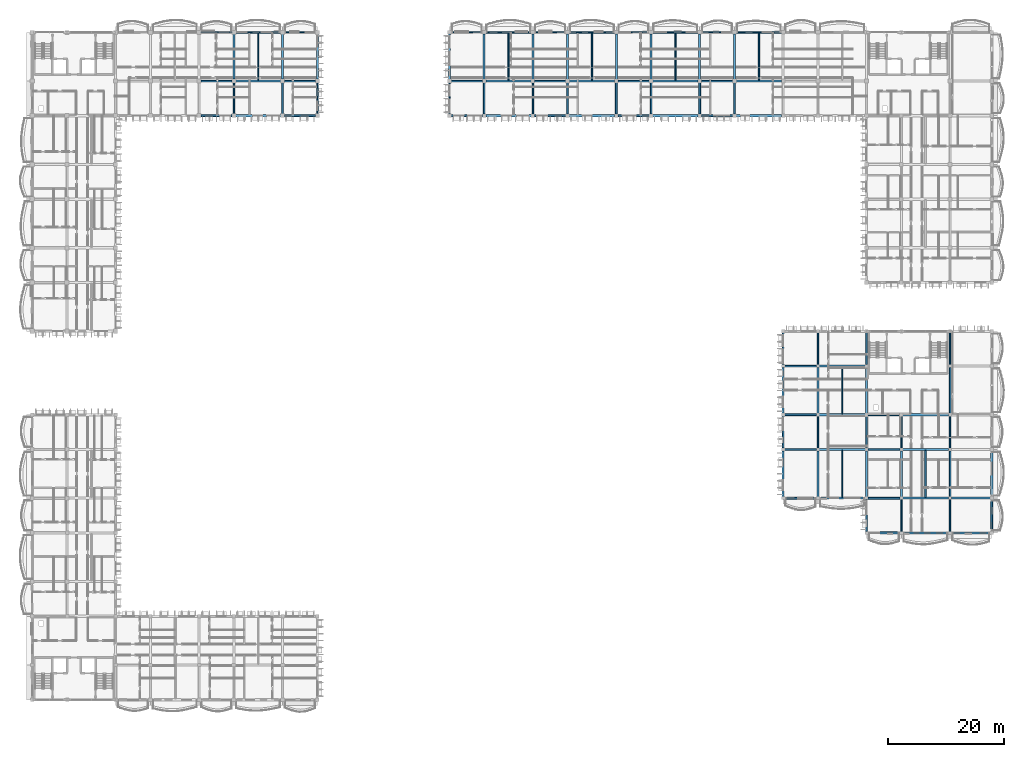
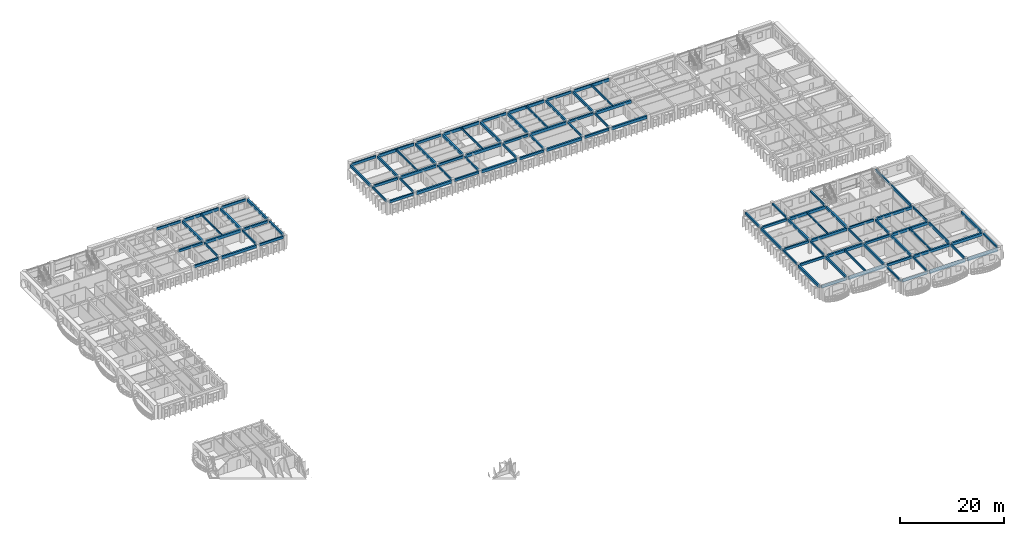
# One storey, part 6 of 70: 104 beams.
"""IFC4 building model written with IfcOpenShell, lengths in metres."""

from ifc_helpers import new_model, si_unit, direction, frame, origin, origin_2d, place, context, subcontext, project, spatial, rectangle, extrude, material, material_profile, profile_set, type_object, element, save


model = new_model("IFC4")

# Units and contexts
model_context = context("Model", 3, precision=1e-05, world=origin(), true_north=direction((0.0, 1.0)))
body_context = subcontext(model_context, "Body", "Model", "MODEL_VIEW")
ifc_project = project(units=[si_unit("LENGTHUNIT", "METRE"), si_unit("AREAUNIT", "SQUARE_METRE"), si_unit("VOLUMEUNIT", "CUBIC_METRE"), si_unit("PLANEANGLEUNIT", "RADIAN"), si_unit("MASSUNIT", "GRAM", prefix="KILO"), si_unit("THERMODYNAMICTEMPERATUREUNIT", "KELVIN")], contexts=[model_context])

# Site, building, storey
site_placement = place(None, origin())
site = spatial("IfcSite", under=ifc_project, at=site_placement, CompositionType="ELEMENT")
building_placement = place(site_placement, origin())
building = spatial("IfcBuilding", under=site, at=building_placement, Name="Thalorik Housing Commons", CompositionType="ELEMENT")
storey_placement = place(building_placement, frame((0.0, 0.0, 14.699951171875)))
storey = spatial("IfcBuildingStorey", under=building, at=storey_placement, Name="L04", CompositionType="ELEMENT", Elevation=14.699951171875)

# Beams
ifc_material = material(Name="Precast concrete C40/50", Category="concrete")
ifc_material_profile_1 = material_profile(ifc_material, rectangle(XDim=0.280029296875, YDim=0.449951171875, at=origin_2d()), Name="PC 280x450", Category="concrete")
ifc_profile_set_1 = profile_set([ifc_material_profile_1], Name="Precast concrete C40/50")
beam_type_1 = type_object("IfcBeamType", Name="STR-BM-PC280x450", PredefinedType="BEAM", material=ifc_profile_set_1)
for number, where, z_axis, x_axis, name in (
    (1, (43.199951171875, 109.5, 2.81494140625), (0.0, 1.0, 0.0), (-1.0, 0.0, 0.0), "L04 Beam B-450"),
    (2, (51.60009765625, 109.5, 2.81494140625), (0.0, 1.0, 0.0), (-1.0, 0.0, 0.0), "L04 Beam B-450"),
    (3, (57.60009765625, 109.5, 2.81494140625), (0.0, 1.0, 0.0), (-1.0, 0.0, 0.0), "L04 Beam B-450"),
):
    element("IfcBeam", number, at=place(storey_placement, frame(where, z_axis=z_axis, x_axis=x_axis)), inside=storey, type_object=beam_type_1, Name=name, PredefinedType="BEAM", context=body_context, shape_type="SweptSolid", body=[
        extrude(rectangle(XDim=0.280029296875, YDim=0.449951171875, at=origin_2d()), origin(), (0.0, 0.0, 1.0), 5.39990234375),
    ])
for number, where, z_axis, x_axis, name in (
    (4, (80.39990234375, 109.47509765625, 2.81494140625), (0.0, 1.0, 0.0), (-1.0, 0.0, 0.0), "L04 Beam B-450"),
    (5, (86.39990234375, 109.47509765625, 2.81494140625), (0.0, 1.0, 0.0), (-1.0, 0.0, 0.0), "L04 Beam B-450"),
    (6, (94.800048828125, 109.47509765625, 2.81494140625), (0.0, 1.0, 0.0), (-1.0, 0.0, 0.0), "L04 Beam B-450"),
    (7, (100.800048828125, 109.47509765625, 2.81494140625), (0.0, 1.0, 0.0), (-1.0, 0.0, 0.0), "L04 Beam B-450"),
    (8, (109.199951171875, 109.47509765625, 2.81494140625), (0.0, 1.0, 0.0), (-1.0, 0.0, 0.0), "L04 Beam B-450"),
    (9, (115.199951171875, 109.47509765625, 2.81494140625), (0.0, 1.0, 0.0), (-1.0, 0.0, 0.0), "L04 Beam B-450"),
    (10, (123.60009765625, 109.47509765625, 2.81494140625), (0.0, 1.0, 0.0), (-1.0, 0.0, 0.0), "L04 Beam B-450"),
    (11, (129.60009765625, 109.47509765625, 2.81494140625), (0.0, 1.0, 0.0), (-1.0, 0.0, 0.0), "L04 Beam B-450"),
):
    element("IfcBeam", number, at=place(storey_placement, frame(where, z_axis=z_axis, x_axis=x_axis)), inside=storey, type_object=beam_type_1, Name=name, PredefinedType="BEAM", context=body_context, shape_type="SweptSolid", body=[
        extrude(rectangle(XDim=0.280029296875, YDim=0.449951171875, at=origin_2d()), origin(), (0.0, 0.0, 1.0), 5.449951171875),
    ])
beam_1_placement = place(storey_placement, frame((138.0, 51.824951171875, 2.81494140625), z_axis=(0.0, 1.0, 0.0), x_axis=(-1.0, 0.0, 0.0)))
element("IfcBeam", 12, at=beam_1_placement, inside=storey, type_object=beam_type_1, Name="L04 Beam B-450", PredefinedType="BEAM", context=body_context, shape_type="SweptSolid", body=[
    extrude(rectangle(XDim=0.280029296875, YDim=0.449951171875, at=origin_2d()), origin(), (0.0, 0.0, 1.0), 5.550048828125),
])
beam_2_placement = place(storey_placement, frame((138.0, 66.22509765625, 2.81494140625), z_axis=(0.0, 1.0, 0.0), x_axis=(-1.0, 0.0, 0.0)))
element("IfcBeam", 13, at=beam_2_placement, inside=storey, type_object=beam_type_1, Name="L04 Beam B-450", PredefinedType="BEAM", context=body_context, shape_type="SweptSolid", body=[
    extrude(rectangle(XDim=0.280029296875, YDim=0.449951171875, at=origin_2d()), origin(), (0.0, 0.0, 1.0), 5.5498046875),
])
beam_3_placement = place(storey_placement, frame((144.0, 51.824951171875, 2.81494140625), z_axis=(0.0, 1.0, 0.0), x_axis=(-1.0, 0.0, 0.0)))
element("IfcBeam", 14, at=beam_3_placement, inside=storey, type_object=beam_type_1, Name="L04 Beam B-450", PredefinedType="BEAM", context=body_context, shape_type="SweptSolid", body=[
    extrude(rectangle(XDim=0.280029296875, YDim=0.449951171875, at=origin_2d()), origin(), (0.0, 0.0, 1.0), 5.550048828125),
])
beam_4_placement = place(storey_placement, frame((144.0, 66.22509765625, 2.81494140625), z_axis=(0.0, 1.0, 0.0), x_axis=(-1.0, 0.0, 0.0)))
element("IfcBeam", 15, at=beam_4_placement, inside=storey, type_object=beam_type_1, Name="L04 Beam B-450", PredefinedType="BEAM", context=body_context, shape_type="SweptSolid", body=[
    extrude(rectangle(XDim=0.280029296875, YDim=0.449951171875, at=origin_2d()), origin(), (0.0, 0.0, 1.0), 5.5498046875),
])
for number, where, z_axis, x_axis, name in (
    (16, (152.39990234375, 37.425048828125, 2.81494140625), (0.0, 1.0, 0.0), (-1.0, 0.0, 0.0), "L04 Beam B-450"),
    (17, (152.39990234375, 51.824951171875, 2.81494140625), (0.0, 1.0, 0.0), (-1.0, 0.0, 0.0), "L04 Beam B-450"),
):
    element("IfcBeam", number, at=place(storey_placement, frame(where, z_axis=z_axis, x_axis=x_axis)), inside=storey, type_object=beam_type_1, Name=name, PredefinedType="BEAM", context=body_context, shape_type="SweptSolid", body=[
        extrude(rectangle(XDim=0.280029296875, YDim=0.449951171875, at=origin_2d()), origin(), (0.0, 0.0, 1.0), 5.550048828125),
    ])
beam_5_placement = place(storey_placement, frame((152.39990234375, 66.22509765625, 2.81494140625), z_axis=(0.0, 1.0, 0.0), x_axis=(-1.0, 0.0, 0.0)))
element("IfcBeam", 18, at=beam_5_placement, inside=storey, type_object=beam_type_1, Name="L04 Beam B-450", PredefinedType="BEAM", context=body_context, shape_type="SweptSolid", body=[
    extrude(rectangle(XDim=0.280029296875, YDim=0.449951171875, at=origin_2d()), origin(), (0.0, 0.0, 1.0), 5.5498046875),
])
for number, where, z_axis, x_axis, name in (
    (19, (158.39990234375, 37.425048828125, 2.81494140625), (0.0, 1.0, 0.0), (-1.0, 0.0, 0.0), "L04 Beam B-450"),
    (20, (158.39990234375, 51.824951171875, 2.81494140625), (0.0, 1.0, 0.0), (-1.0, 0.0, 0.0), "L04 Beam B-450"),
    (21, (174.0, 37.425048828125, 2.81494140625), (0.0, 1.0, 0.0), (-1.0, 0.0, 0.0), "L04 Beam B-450"),
):
    element("IfcBeam", number, at=place(storey_placement, frame(where, z_axis=z_axis, x_axis=x_axis)), inside=storey, type_object=beam_type_1, Name=name, PredefinedType="BEAM", context=body_context, shape_type="SweptSolid", body=[
        extrude(rectangle(XDim=0.280029296875, YDim=0.449951171875, at=origin_2d()), origin(), (0.0, 0.0, 1.0), 5.550048828125),
    ])
ifc_material_profile_2 = material_profile(ifc_material, rectangle(XDim=0.320068359375, YDim=0.550048828125, at=origin_2d()), Name="PC 320x550", Category="concrete")
ifc_profile_set_2 = profile_set([ifc_material_profile_2], Name="Precast concrete C40/50")
beam_type_2 = type_object("IfcBeamType", Name="STR-BM-PC320x550", PredefinedType="BEAM", material=ifc_profile_set_2)
beam_6_placement = place(storey_placement, frame((152.625, 37.199951171875, 2.76513671875), z_axis=(1.0, 0.0, 0.0), x_axis=(0.0, 1.0, 0.0)))
element("IfcBeam", 22, at=beam_6_placement, inside=storey, type_object=beam_type_2, Name="L04 Beam B-550", PredefinedType="BEAM", context=body_context, shape_type="SweptSolid", body=[
    extrude(rectangle(XDim=0.320068359375, YDim=0.550048828125, at=origin_2d()), origin(), (0.0, 0.0, 1.0), 5.550048828125),
])
beam_7_placement = place(storey_placement, frame((138.22509765625, 43.199951171875, 2.76513671875), z_axis=(1.0, 0.0, 0.0), x_axis=(0.0, 1.0, 0.0)))
element("IfcBeam", 23, at=beam_7_placement, inside=storey, type_object=beam_type_2, Name="L04 Beam B-550", PredefinedType="BEAM", context=body_context, shape_type="SweptSolid", body=[
    extrude(rectangle(XDim=0.320068359375, YDim=0.550048828125, at=origin_2d()), origin(), (0.0, 0.0, 1.0), 5.5498046875),
])
beam_8_placement = place(storey_placement, frame((152.625, 43.199951171875, 2.76513671875), z_axis=(1.0, 0.0, 0.0), x_axis=(0.0, 1.0, 0.0)))
element("IfcBeam", 24, at=beam_8_placement, inside=storey, type_object=beam_type_2, Name="L04 Beam B-550", PredefinedType="BEAM", context=body_context, shape_type="SweptSolid", body=[
    extrude(rectangle(XDim=0.320068359375, YDim=0.550048828125, at=origin_2d()), origin(), (0.0, 0.0, 1.0), 5.550048828125),
])
beam_9_placement = place(storey_placement, frame((138.22509765625, 51.60009765625, 2.76513671875), z_axis=(1.0, 0.0, 0.0), x_axis=(0.0, 1.0, 0.0)))
element("IfcBeam", 25, at=beam_9_placement, inside=storey, type_object=beam_type_2, Name="L04 Beam B-550", PredefinedType="BEAM", context=body_context, shape_type="SweptSolid", body=[
    extrude(rectangle(XDim=0.320068359375, YDim=0.550048828125, at=origin_2d()), origin(), (0.0, 0.0, 1.0), 5.5498046875),
])
beam_10_placement = place(storey_placement, frame((152.625, 51.60009765625, 2.76513671875), z_axis=(1.0, 0.0, 0.0), x_axis=(0.0, 1.0, 0.0)))
element("IfcBeam", 26, at=beam_10_placement, inside=storey, type_object=beam_type_2, Name="L04 Beam B-550", PredefinedType="BEAM", context=body_context, shape_type="SweptSolid", body=[
    extrude(rectangle(XDim=0.320068359375, YDim=0.550048828125, at=origin_2d()), origin(), (0.0, 0.0, 1.0), 5.550048828125),
])
beam_11_placement = place(storey_placement, frame((138.22509765625, 57.60009765625, 2.76513671875), z_axis=(1.0, 0.0, 0.0), x_axis=(0.0, 1.0, 0.0)))
element("IfcBeam", 27, at=beam_11_placement, inside=storey, type_object=beam_type_2, Name="L04 Beam B-550", PredefinedType="BEAM", context=body_context, shape_type="SweptSolid", body=[
    extrude(rectangle(XDim=0.320068359375, YDim=0.550048828125, at=origin_2d()), origin(), (0.0, 0.0, 1.0), 5.5498046875),
])
beam_12_placement = place(storey_placement, frame((152.625, 57.60009765625, 2.76513671875), z_axis=(1.0, 0.0, 0.0), x_axis=(0.0, 1.0, 0.0)))
element("IfcBeam", 28, at=beam_12_placement, inside=storey, type_object=beam_type_2, Name="L04 Beam B-550", PredefinedType="BEAM", context=body_context, shape_type="SweptSolid", body=[
    extrude(rectangle(XDim=0.320068359375, YDim=0.550048828125, at=origin_2d()), origin(), (0.0, 0.0, 1.0), 5.550048828125),
])
beam_13_placement = place(storey_placement, frame((138.22509765625, 66.0, 2.76513671875), z_axis=(1.0, 0.0, 0.0), x_axis=(0.0, 1.0, 0.0)))
element("IfcBeam", 29, at=beam_13_placement, inside=storey, type_object=beam_type_2, Name="L04 Beam B-550", PredefinedType="BEAM", context=body_context, shape_type="SweptSolid", body=[
    extrude(rectangle(XDim=0.320068359375, YDim=0.550048828125, at=origin_2d()), origin(), (0.0, 0.0, 1.0), 5.5498046875),
])
beam_14_placement = place(storey_placement, frame((37.5, 109.199951171875, 2.76513671875), z_axis=(1.0, 0.0, 0.0), x_axis=(0.0, 1.0, 0.0)))
element("IfcBeam", 30, at=beam_14_placement, inside=storey, type_object=beam_type_2, Name="L04 Beam B-550", PredefinedType="BEAM", context=body_context, shape_type="SweptSolid", body=[
    extrude(rectangle(XDim=0.320068359375, YDim=0.550048828125, at=origin_2d()), origin(), (0.0, 0.0, 1.0), 5.39990234375),
])
beam_15_placement = place(storey_placement, frame((51.89990234375, 109.199951171875, 2.76513671875), z_axis=(1.0, 0.0, 0.0), x_axis=(0.0, 1.0, 0.0)))
element("IfcBeam", 31, at=beam_15_placement, inside=storey, type_object=beam_type_2, Name="L04 Beam B-550", PredefinedType="BEAM", context=body_context, shape_type="SweptSolid", body=[
    extrude(rectangle(XDim=0.320068359375, YDim=0.550048828125, at=origin_2d()), origin(), (0.0, 0.0, 1.0), 5.400146484375),
])
for number, where, z_axis, x_axis, name in (
    (32, (80.675048828125, 109.199951171875, 2.76513671875), (1.0, 0.0, 0.0), (0.0, 1.0, 0.0), "L04 Beam B-550"),
    (33, (95.074951171875, 109.199951171875, 2.76513671875), (1.0, 0.0, 0.0), (0.0, 1.0, 0.0), "L04 Beam B-550"),
    (34, (109.47509765625, 109.199951171875, 2.76513671875), (1.0, 0.0, 0.0), (0.0, 1.0, 0.0), "L04 Beam B-550"),
    (35, (123.875, 109.199951171875, 2.76513671875), (1.0, 0.0, 0.0), (0.0, 1.0, 0.0), "L04 Beam B-550"),
):
    element("IfcBeam", number, at=place(storey_placement, frame(where, z_axis=z_axis, x_axis=x_axis)), inside=storey, type_object=beam_type_2, Name=name, PredefinedType="BEAM", context=body_context, shape_type="SweptSolid", body=[
        extrude(rectangle(XDim=0.320068359375, YDim=0.550048828125, at=origin_2d()), origin(), (0.0, 0.0, 1.0), 5.449951171875),
    ])
beam_16_placement = place(storey_placement, frame((37.5, 115.199951171875, 2.76513671875), z_axis=(1.0, 0.0, 0.0), x_axis=(0.0, 1.0, 0.0)))
element("IfcBeam", 36, at=beam_16_placement, inside=storey, type_object=beam_type_2, Name="L04 Beam B-550", PredefinedType="BEAM", context=body_context, shape_type="SweptSolid", body=[
    extrude(rectangle(XDim=0.320068359375, YDim=0.550048828125, at=origin_2d()), origin(), (0.0, 0.0, 1.0), 5.39990234375),
])
beam_17_placement = place(storey_placement, frame((51.89990234375, 115.199951171875, 2.76513671875), z_axis=(1.0, 0.0, 0.0), x_axis=(0.0, 1.0, 0.0)))
element("IfcBeam", 37, at=beam_17_placement, inside=storey, type_object=beam_type_2, Name="L04 Beam B-550", PredefinedType="BEAM", context=body_context, shape_type="SweptSolid", body=[
    extrude(rectangle(XDim=0.320068359375, YDim=0.550048828125, at=origin_2d()), origin(), (0.0, 0.0, 1.0), 5.400146484375),
])
for number, where, z_axis, x_axis, name in (
    (38, (80.675048828125, 115.199951171875, 2.76513671875), (1.0, 0.0, 0.0), (0.0, 1.0, 0.0), "L04 Beam B-550"),
    (39, (95.074951171875, 115.199951171875, 2.76513671875), (1.0, 0.0, 0.0), (0.0, 1.0, 0.0), "L04 Beam B-550"),
    (40, (109.47509765625, 115.199951171875, 2.76513671875), (1.0, 0.0, 0.0), (0.0, 1.0, 0.0), "L04 Beam B-550"),
    (41, (123.875, 115.199951171875, 2.76513671875), (1.0, 0.0, 0.0), (0.0, 1.0, 0.0), "L04 Beam B-550"),
):
    element("IfcBeam", number, at=place(storey_placement, frame(where, z_axis=z_axis, x_axis=x_axis)), inside=storey, type_object=beam_type_2, Name=name, PredefinedType="BEAM", context=body_context, shape_type="SweptSolid", body=[
        extrude(rectangle(XDim=0.320068359375, YDim=0.550048828125, at=origin_2d()), origin(), (0.0, 0.0, 1.0), 5.449951171875),
    ])
ifc_material_profile_3 = material_profile(ifc_material, rectangle(XDim=0.35009765625, YDim=0.60009765625, at=origin_2d()), Name="PC 350x600", Category="concrete")
ifc_profile_set_3 = profile_set([ifc_material_profile_3], Name="Precast concrete C40/50")
beam_type_3 = type_object("IfcBeamType", Name="STR-BM-PC350x600", PredefinedType="BEAM", material=ifc_profile_set_3)
for number, where, z_axis, x_axis, name in (
    (42, (43.199951171875, 115.5, 2.739990234375), (0.0, 1.0, 0.0), (-1.0, 0.0, 0.0), "L04 Beam B-600"),
    (43, (51.60009765625, 115.5, 2.739990234375), (0.0, 1.0, 0.0), (-1.0, 0.0, 0.0), "L04 Beam B-600"),
    (44, (57.60009765625, 115.5, 2.739990234375), (0.0, 1.0, 0.0), (-1.0, 0.0, 0.0), "L04 Beam B-600"),
):
    element("IfcBeam", number, at=place(storey_placement, frame(where, z_axis=z_axis, x_axis=x_axis)), inside=storey, type_object=beam_type_3, Name=name, PredefinedType="BEAM", context=body_context, shape_type="SweptSolid", body=[
        extrude(rectangle(XDim=0.35009765625, YDim=0.60009765625, at=origin_2d()), origin(), (0.0, 0.0, 1.0), 7.800048828125),
    ])
for number, where, z_axis, x_axis, name in (
    (45, (80.39990234375, 115.47509765625, 2.739990234375), (0.0, 1.0, 0.0), (-1.0, 0.0, 0.0), "L04 Beam B-600"),
    (46, (86.39990234375, 115.47509765625, 2.739990234375), (0.0, 1.0, 0.0), (-1.0, 0.0, 0.0), "L04 Beam B-600"),
    (47, (94.800048828125, 115.47509765625, 2.739990234375), (0.0, 1.0, 0.0), (-1.0, 0.0, 0.0), "L04 Beam B-600"),
    (48, (100.800048828125, 115.47509765625, 2.739990234375), (0.0, 1.0, 0.0), (-1.0, 0.0, 0.0), "L04 Beam B-600"),
    (49, (109.199951171875, 115.47509765625, 2.739990234375), (0.0, 1.0, 0.0), (-1.0, 0.0, 0.0), "L04 Beam B-600"),
    (50, (115.199951171875, 115.47509765625, 2.739990234375), (0.0, 1.0, 0.0), (-1.0, 0.0, 0.0), "L04 Beam B-600"),
    (51, (123.60009765625, 115.47509765625, 2.739990234375), (0.0, 1.0, 0.0), (-1.0, 0.0, 0.0), "L04 Beam B-600"),
    (52, (129.60009765625, 115.47509765625, 2.739990234375), (0.0, 1.0, 0.0), (-1.0, 0.0, 0.0), "L04 Beam B-600"),
):
    element("IfcBeam", number, at=place(storey_placement, frame(where, z_axis=z_axis, x_axis=x_axis)), inside=storey, type_object=beam_type_3, Name=name, PredefinedType="BEAM", context=body_context, shape_type="SweptSolid", body=[
        extrude(rectangle(XDim=0.35009765625, YDim=0.60009765625, at=origin_2d()), origin(), (0.0, 0.0, 1.0), 7.849853515625),
    ])
for number, where, z_axis, x_axis, name in (
    (53, (138.0, 43.425048828125, 2.739990234375), (0.0, 1.0, 0.0), (-1.0, 0.0, 0.0), "L04 Beam B-600"),
    (54, (138.0, 57.824951171875, 2.739990234375), (0.0, 1.0, 0.0), (-1.0, 0.0, 0.0), "L04 Beam B-600"),
    (55, (144.0, 43.425048828125, 2.739990234375), (0.0, 1.0, 0.0), (-1.0, 0.0, 0.0), "L04 Beam B-600"),
    (56, (144.0, 57.824951171875, 2.739990234375), (0.0, 1.0, 0.0), (-1.0, 0.0, 0.0), "L04 Beam B-600"),
    (57, (152.39990234375, 43.425048828125, 2.739990234375), (0.0, 1.0, 0.0), (-1.0, 0.0, 0.0), "L04 Beam B-600"),
    (58, (152.39990234375, 57.824951171875, 2.739990234375), (0.0, 1.0, 0.0), (-1.0, 0.0, 0.0), "L04 Beam B-600"),
    (59, (158.39990234375, 43.425048828125, 2.739990234375), (0.0, 1.0, 0.0), (-1.0, 0.0, 0.0), "L04 Beam B-600"),
    (60, (174.0, 43.425048828125, 2.739990234375), (0.0, 1.0, 0.0), (-1.0, 0.0, 0.0), "L04 Beam B-600"),
):
    element("IfcBeam", number, at=place(storey_placement, frame(where, z_axis=z_axis, x_axis=x_axis)), inside=storey, type_object=beam_type_3, Name=name, PredefinedType="BEAM", context=body_context, shape_type="SweptSolid", body=[
        extrude(rectangle(XDim=0.35009765625, YDim=0.60009765625, at=origin_2d()), origin(), (0.0, 0.0, 1.0), 7.949951171875),
    ])
ifc_material_profile_4 = material_profile(ifc_material, rectangle(XDim=0.3798828125, YDim=0.64990234375, at=origin_2d()), Name="PC 380x650", Category="concrete")
ifc_profile_set_4 = profile_set([ifc_material_profile_4], Name="Precast concrete C40/50")
beam_type_4 = type_object("IfcBeamType", Name="STR-BM-PC380x650", PredefinedType="BEAM", material=ifc_profile_set_4)
beam_18_placement = place(storey_placement, frame((158.625, 37.199951171875, 2.715087890625), z_axis=(1.0, 0.0, 0.0), x_axis=(0.0, 1.0, 0.0)))
element("IfcBeam", 61, at=beam_18_placement, inside=storey, type_object=beam_type_4, Name="L04 Beam B-650", PredefinedType="BEAM", context=body_context, shape_type="SweptSolid", body=[
    extrude(rectangle(XDim=0.3798828125, YDim=0.64990234375, at=origin_2d()), origin(), (0.0, 0.0, 1.0), 7.949951171875),
])
beam_19_placement = place(storey_placement, frame((167.02490234375, 37.199951171875, 2.715087890625), z_axis=(1.0, 0.0, 0.0), x_axis=(0.0, 1.0, 0.0)))
element("IfcBeam", 62, at=beam_19_placement, inside=storey, type_object=beam_type_4, Name="L04 Beam B-650", PredefinedType="BEAM", context=body_context, shape_type="SweptSolid", body=[
    extrude(rectangle(XDim=0.3798828125, YDim=0.64990234375, at=origin_2d()), origin(), (0.0, 0.0, 1.0), 6.75),
])
for number, where, z_axis, x_axis, name in (
    (63, (144.22509765625, 43.199951171875, 2.715087890625), (1.0, 0.0, 0.0), (0.0, 1.0, 0.0), "L04 Beam B-650"),
    (64, (158.625, 43.199951171875, 2.715087890625), (1.0, 0.0, 0.0), (0.0, 1.0, 0.0), "L04 Beam B-650"),
):
    element("IfcBeam", number, at=place(storey_placement, frame(where, z_axis=z_axis, x_axis=x_axis)), inside=storey, type_object=beam_type_4, Name=name, PredefinedType="BEAM", context=body_context, shape_type="SweptSolid", body=[
        extrude(rectangle(XDim=0.3798828125, YDim=0.64990234375, at=origin_2d()), origin(), (0.0, 0.0, 1.0), 7.949951171875),
    ])
beam_20_placement = place(storey_placement, frame((167.02490234375, 43.199951171875, 2.715087890625), z_axis=(1.0, 0.0, 0.0), x_axis=(0.0, 1.0, 0.0)))
element("IfcBeam", 65, at=beam_20_placement, inside=storey, type_object=beam_type_4, Name="L04 Beam B-650", PredefinedType="BEAM", context=body_context, shape_type="SweptSolid", body=[
    extrude(rectangle(XDim=0.3798828125, YDim=0.64990234375, at=origin_2d()), origin(), (0.0, 0.0, 1.0), 6.75),
])
for number, where, z_axis, x_axis, name in (
    (66, (144.22509765625, 51.60009765625, 2.715087890625), (1.0, 0.0, 0.0), (0.0, 1.0, 0.0), "L04 Beam B-650"),
    (67, (158.625, 51.60009765625, 2.715087890625), (1.0, 0.0, 0.0), (0.0, 1.0, 0.0), "L04 Beam B-650"),
    (68, (144.22509765625, 57.60009765625, 2.715087890625), (1.0, 0.0, 0.0), (0.0, 1.0, 0.0), "L04 Beam B-650"),
    (69, (158.625, 57.60009765625, 2.715087890625), (1.0, 0.0, 0.0), (0.0, 1.0, 0.0), "L04 Beam B-650"),
    (70, (144.22509765625, 66.0, 2.715087890625), (1.0, 0.0, 0.0), (0.0, 1.0, 0.0), "L04 Beam B-650"),
):
    element("IfcBeam", number, at=place(storey_placement, frame(where, z_axis=z_axis, x_axis=x_axis)), inside=storey, type_object=beam_type_4, Name=name, PredefinedType="BEAM", context=body_context, shape_type="SweptSolid", body=[
        extrude(rectangle(XDim=0.3798828125, YDim=0.64990234375, at=origin_2d()), origin(), (0.0, 0.0, 1.0), 7.949951171875),
    ])
beam_21_placement = place(storey_placement, frame((43.5, 109.199951171875, 2.715087890625), z_axis=(1.0, 0.0, 0.0), x_axis=(0.0, 1.0, 0.0)))
element("IfcBeam", 71, at=beam_21_placement, inside=storey, type_object=beam_type_4, Name="L04 Beam B-650", PredefinedType="BEAM", context=body_context, shape_type="SweptSolid", body=[
    extrude(rectangle(XDim=0.3798828125, YDim=0.64990234375, at=origin_2d()), origin(), (0.0, 0.0, 1.0), 7.800048828125),
])
beam_22_placement = place(storey_placement, frame((86.675048828125, 109.199951171875, 2.715087890625), z_axis=(1.0, 0.0, 0.0), x_axis=(0.0, 1.0, 0.0)))
element("IfcBeam", 72, at=beam_22_placement, inside=storey, type_object=beam_type_4, Name="L04 Beam B-650", PredefinedType="BEAM", context=body_context, shape_type="SweptSolid", body=[
    extrude(rectangle(XDim=0.3798828125, YDim=0.64990234375, at=origin_2d()), origin(), (0.0, 0.0, 1.0), 7.849853515625),
])
beam_23_placement = place(storey_placement, frame((101.074951171875, 109.199951171875, 2.715087890625), z_axis=(1.0, 0.0, 0.0), x_axis=(0.0, 1.0, 0.0)))
element("IfcBeam", 73, at=beam_23_placement, inside=storey, type_object=beam_type_4, Name="L04 Beam B-650", PredefinedType="BEAM", context=body_context, shape_type="SweptSolid", body=[
    extrude(rectangle(XDim=0.3798828125, YDim=0.64990234375, at=origin_2d()), origin(), (0.0, 0.0, 1.0), 7.85009765625),
])
beam_24_placement = place(storey_placement, frame((115.47509765625, 109.199951171875, 2.715087890625), z_axis=(1.0, 0.0, 0.0), x_axis=(0.0, 1.0, 0.0)))
element("IfcBeam", 74, at=beam_24_placement, inside=storey, type_object=beam_type_4, Name="L04 Beam B-650", PredefinedType="BEAM", context=body_context, shape_type="SweptSolid", body=[
    extrude(rectangle(XDim=0.3798828125, YDim=0.64990234375, at=origin_2d()), origin(), (0.0, 0.0, 1.0), 7.849853515625),
])
beam_25_placement = place(storey_placement, frame((129.875, 109.199951171875, 2.715087890625), z_axis=(1.0, 0.0, 0.0), x_axis=(0.0, 1.0, 0.0)))
element("IfcBeam", 75, at=beam_25_placement, inside=storey, type_object=beam_type_4, Name="L04 Beam B-650", PredefinedType="BEAM", context=body_context, shape_type="SweptSolid", body=[
    extrude(rectangle(XDim=0.3798828125, YDim=0.64990234375, at=origin_2d()), origin(), (0.0, 0.0, 1.0), 7.85009765625),
])
beam_26_placement = place(storey_placement, frame((43.5, 115.199951171875, 2.715087890625), z_axis=(1.0, 0.0, 0.0), x_axis=(0.0, 1.0, 0.0)))
element("IfcBeam", 76, at=beam_26_placement, inside=storey, type_object=beam_type_4, Name="L04 Beam B-650", PredefinedType="BEAM", context=body_context, shape_type="SweptSolid", body=[
    extrude(rectangle(XDim=0.3798828125, YDim=0.64990234375, at=origin_2d()), origin(), (0.0, 0.0, 1.0), 7.800048828125),
])
beam_27_placement = place(storey_placement, frame((86.675048828125, 115.199951171875, 2.715087890625), z_axis=(1.0, 0.0, 0.0), x_axis=(0.0, 1.0, 0.0)))
element("IfcBeam", 77, at=beam_27_placement, inside=storey, type_object=beam_type_4, Name="L04 Beam B-650", PredefinedType="BEAM", context=body_context, shape_type="SweptSolid", body=[
    extrude(rectangle(XDim=0.3798828125, YDim=0.64990234375, at=origin_2d()), origin(), (0.0, 0.0, 1.0), 7.849853515625),
])
beam_28_placement = place(storey_placement, frame((101.074951171875, 115.199951171875, 2.715087890625), z_axis=(1.0, 0.0, 0.0), x_axis=(0.0, 1.0, 0.0)))
element("IfcBeam", 78, at=beam_28_placement, inside=storey, type_object=beam_type_4, Name="L04 Beam B-650", PredefinedType="BEAM", context=body_context, shape_type="SweptSolid", body=[
    extrude(rectangle(XDim=0.3798828125, YDim=0.64990234375, at=origin_2d()), origin(), (0.0, 0.0, 1.0), 7.85009765625),
])
beam_29_placement = place(storey_placement, frame((115.47509765625, 115.199951171875, 2.715087890625), z_axis=(1.0, 0.0, 0.0), x_axis=(0.0, 1.0, 0.0)))
element("IfcBeam", 79, at=beam_29_placement, inside=storey, type_object=beam_type_4, Name="L04 Beam B-650", PredefinedType="BEAM", context=body_context, shape_type="SweptSolid", body=[
    extrude(rectangle(XDim=0.3798828125, YDim=0.64990234375, at=origin_2d()), origin(), (0.0, 0.0, 1.0), 7.849853515625),
])
beam_30_placement = place(storey_placement, frame((129.875, 115.199951171875, 2.715087890625), z_axis=(1.0, 0.0, 0.0), x_axis=(0.0, 1.0, 0.0)))
element("IfcBeam", 80, at=beam_30_placement, inside=storey, type_object=beam_type_4, Name="L04 Beam B-650", PredefinedType="BEAM", context=body_context, shape_type="SweptSolid", body=[
    extrude(rectangle(XDim=0.3798828125, YDim=0.64990234375, at=origin_2d()), origin(), (0.0, 0.0, 1.0), 7.85009765625),
])
ifc_material_profile_5 = material_profile(ifc_material, rectangle(XDim=0.239990234375, YDim=0.43994140625, at=origin_2d()), Name="PC JST 240x440", Category="concrete")
ifc_profile_set_5 = profile_set([ifc_material_profile_5], Name="Precast concrete C40/50")
beam_type_5 = type_object("IfcBeamType", Name="STR-JST-PC240x440", PredefinedType="JOIST", material=ifc_profile_set_5)
for number, where, z_axis, x_axis, name in (
    (81, (148.199951171875, 43.340087890625, 2.820068359375), (0.0, 1.0, 0.0), (-1.0, 0.0, 0.0), "L04 Beam J-440"),
    (82, (162.60009765625, 43.340087890625, 2.820068359375), (0.0, 1.0, 0.0), (-1.0, 0.0, 0.0), "L04 Beam J-440"),
):
    element("IfcBeam", number, at=place(storey_placement, frame(where, z_axis=z_axis, x_axis=x_axis)), inside=storey, type_object=beam_type_5, Name=name, PredefinedType="JOIST", context=body_context, shape_type="SweptSolid", body=[
        extrude(rectangle(XDim=0.239990234375, YDim=0.43994140625, at=origin_2d()), origin(), (0.0, 0.0, 1.0), 8.119873046875),
    ])
beam_31_placement = place(storey_placement, frame((148.199951171875, 57.739990234375, 2.820068359375), z_axis=(0.0, 1.0, 0.0), x_axis=(-1.0, 0.0, 0.0)))
element("IfcBeam", 83, at=beam_31_placement, inside=storey, type_object=beam_type_5, Name="L04 Beam J-440", PredefinedType="JOIST", context=body_context, shape_type="SweptSolid", body=[
    extrude(rectangle(XDim=0.239990234375, YDim=0.43994140625, at=origin_2d()), origin(), (0.0, 0.0, 1.0), 8.1201171875),
])
for number, where, z_axis, x_axis, name in (
    (84, (47.39990234375, 115.340087890625, 2.820068359375), (0.0, 1.0, 0.0), (-1.0, 0.0, 0.0), "L04 Beam J-440"),
    (85, (90.60009765625, 115.340087890625, 2.820068359375), (0.0, 1.0, 0.0), (-1.0, 0.0, 0.0), "L04 Beam J-440"),
    (86, (105.0, 115.340087890625, 2.820068359375), (0.0, 1.0, 0.0), (-1.0, 0.0, 0.0), "L04 Beam J-440"),
    (87, (119.39990234375, 115.340087890625, 2.820068359375), (0.0, 1.0, 0.0), (-1.0, 0.0, 0.0), "L04 Beam J-440"),
    (88, (133.800048828125, 115.340087890625, 2.820068359375), (0.0, 1.0, 0.0), (-1.0, 0.0, 0.0), "L04 Beam J-440"),
):
    element("IfcBeam", number, at=place(storey_placement, frame(where, z_axis=z_axis, x_axis=x_axis)), inside=storey, type_object=beam_type_5, Name=name, PredefinedType="JOIST", context=body_context, shape_type="SweptSolid", body=[
        extrude(rectangle(XDim=0.239990234375, YDim=0.43994140625, at=origin_2d()), origin(), (0.0, 0.0, 1.0), 8.119873046875),
    ])
ifc_material_profile_6 = material_profile(ifc_material, rectangle(XDim=0.239990234375, YDim=0.580078125, at=origin_2d()), Name="PC SP 240x580", Category="concrete")
ifc_profile_set_6 = profile_set([ifc_material_profile_6], Name="Precast concrete C40/50")
beam_type_6 = type_object("IfcBeamType", Name="STR-SP-PC240x580", PredefinedType="SPANDREL", material=ifc_profile_set_6)
beam_32_placement = place(storey_placement, frame((37.5, 123.60009765625, 2.75), z_axis=(1.0, 0.0, 0.0), x_axis=(0.0, 1.0, 0.0)))
element("IfcBeam", 89, at=beam_32_placement, inside=storey, type_object=beam_type_6, Name="L04 Beam B-550", PredefinedType="SPANDREL", context=body_context, shape_type="SweptSolid", body=[
    extrude(rectangle(XDim=0.239990234375, YDim=0.580078125, at=origin_2d()), origin(), (0.0, 0.0, 1.0), 5.39990234375),
])
beam_33_placement = place(storey_placement, frame((51.89990234375, 123.60009765625, 2.75), z_axis=(1.0, 0.0, 0.0), x_axis=(0.0, 1.0, 0.0)))
element("IfcBeam", 90, at=beam_33_placement, inside=storey, type_object=beam_type_6, Name="L04 Beam B-550", PredefinedType="SPANDREL", context=body_context, shape_type="SweptSolid", body=[
    extrude(rectangle(XDim=0.239990234375, YDim=0.580078125, at=origin_2d()), origin(), (0.0, 0.0, 1.0), 5.400146484375),
])
for number, where, z_axis, x_axis, name in (
    (91, (80.675048828125, 123.60009765625, 2.75), (1.0, 0.0, 0.0), (0.0, 1.0, 0.0), "L04 Beam B-550"),
    (92, (95.074951171875, 123.60009765625, 2.75), (1.0, 0.0, 0.0), (0.0, 1.0, 0.0), "L04 Beam B-550"),
    (93, (109.47509765625, 123.60009765625, 2.75), (1.0, 0.0, 0.0), (0.0, 1.0, 0.0), "L04 Beam B-550"),
    (94, (123.875, 123.60009765625, 2.75), (1.0, 0.0, 0.0), (0.0, 1.0, 0.0), "L04 Beam B-550"),
):
    element("IfcBeam", number, at=place(storey_placement, frame(where, z_axis=z_axis, x_axis=x_axis)), inside=storey, type_object=beam_type_6, Name=name, PredefinedType="SPANDREL", context=body_context, shape_type="SweptSolid", body=[
        extrude(rectangle(XDim=0.239990234375, YDim=0.580078125, at=origin_2d()), origin(), (0.0, 0.0, 1.0), 5.449951171875),
    ])
for number, where, z_axis, x_axis, name in (
    (95, (166.800048828125, 37.425048828125, 2.75), (0.0, 1.0, 0.0), (-1.0, 0.0, 0.0), "L04 Beam B-450"),
    (96, (166.800048828125, 51.824951171875, 2.75), (0.0, 1.0, 0.0), (-1.0, 0.0, 0.0), "L04 Beam B-450"),
):
    element("IfcBeam", number, at=place(storey_placement, frame(where, z_axis=z_axis, x_axis=x_axis)), inside=storey, type_object=beam_type_6, Name=name, PredefinedType="SPANDREL", context=body_context, shape_type="SweptSolid", body=[
        extrude(rectangle(XDim=0.239990234375, YDim=0.580078125, at=origin_2d()), origin(), (0.0, 0.0, 1.0), 5.550048828125),
    ])
beam_34_placement = place(storey_placement, frame((166.800048828125, 66.22509765625, 2.75), z_axis=(0.0, 1.0, 0.0), x_axis=(-1.0, 0.0, 0.0)))
element("IfcBeam", 97, at=beam_34_placement, inside=storey, type_object=beam_type_6, Name="L04 Beam B-450", PredefinedType="SPANDREL", context=body_context, shape_type="SweptSolid", body=[
    extrude(rectangle(XDim=0.239990234375, YDim=0.580078125, at=origin_2d()), origin(), (0.0, 0.0, 1.0), 5.5498046875),
])
ifc_material_profile_7 = material_profile(ifc_material, rectangle(XDim=0.260009765625, YDim=0.679931640625, at=origin_2d()), Name="PC SP 260x680", Category="concrete")
ifc_profile_set_7 = profile_set([ifc_material_profile_7], Name="Precast concrete C40/50")
beam_type_7 = type_object("IfcBeamType", Name="STR-SP-PC260x680", PredefinedType="SPANDREL", material=ifc_profile_set_7)
beam_35_placement = place(storey_placement, frame((43.5, 123.60009765625, 2.699951171875), z_axis=(1.0, 0.0, 0.0), x_axis=(0.0, 1.0, 0.0)))
element("IfcBeam", 98, at=beam_35_placement, inside=storey, type_object=beam_type_7, Name="L04 Beam B-650", PredefinedType="SPANDREL", context=body_context, shape_type="SweptSolid", body=[
    extrude(rectangle(XDim=0.260009765625, YDim=0.679931640625, at=origin_2d()), origin(), (0.0, 0.0, 1.0), 7.800048828125),
])
beam_36_placement = place(storey_placement, frame((86.675048828125, 123.60009765625, 2.699951171875), z_axis=(1.0, 0.0, 0.0), x_axis=(0.0, 1.0, 0.0)))
element("IfcBeam", 99, at=beam_36_placement, inside=storey, type_object=beam_type_7, Name="L04 Beam B-650", PredefinedType="SPANDREL", context=body_context, shape_type="SweptSolid", body=[
    extrude(rectangle(XDim=0.260009765625, YDim=0.679931640625, at=origin_2d()), origin(), (0.0, 0.0, 1.0), 7.849853515625),
])
beam_37_placement = place(storey_placement, frame((101.074951171875, 123.60009765625, 2.699951171875), z_axis=(1.0, 0.0, 0.0), x_axis=(0.0, 1.0, 0.0)))
element("IfcBeam", 100, at=beam_37_placement, inside=storey, type_object=beam_type_7, Name="L04 Beam B-650", PredefinedType="SPANDREL", context=body_context, shape_type="SweptSolid", body=[
    extrude(rectangle(XDim=0.260009765625, YDim=0.679931640625, at=origin_2d()), origin(), (0.0, 0.0, 1.0), 7.85009765625),
])
beam_38_placement = place(storey_placement, frame((115.47509765625, 123.60009765625, 2.699951171875), z_axis=(1.0, 0.0, 0.0), x_axis=(0.0, 1.0, 0.0)))
element("IfcBeam", 101, at=beam_38_placement, inside=storey, type_object=beam_type_7, Name="L04 Beam B-650", PredefinedType="SPANDREL", context=body_context, shape_type="SweptSolid", body=[
    extrude(rectangle(XDim=0.260009765625, YDim=0.679931640625, at=origin_2d()), origin(), (0.0, 0.0, 1.0), 7.849853515625),
])
beam_39_placement = place(storey_placement, frame((129.875, 123.60009765625, 2.699951171875), z_axis=(1.0, 0.0, 0.0), x_axis=(0.0, 1.0, 0.0)))
element("IfcBeam", 102, at=beam_39_placement, inside=storey, type_object=beam_type_7, Name="L04 Beam B-650", PredefinedType="SPANDREL", context=body_context, shape_type="SweptSolid", body=[
    extrude(rectangle(XDim=0.260009765625, YDim=0.679931640625, at=origin_2d()), origin(), (0.0, 0.0, 1.0), 7.85009765625),
])
for number, where, z_axis, x_axis, name in (
    (103, (166.800048828125, 43.425048828125, 2.699951171875), (0.0, 1.0, 0.0), (-1.0, 0.0, 0.0), "L04 Beam B-600"),
    (104, (166.800048828125, 57.824951171875, 2.699951171875), (0.0, 1.0, 0.0), (-1.0, 0.0, 0.0), "L04 Beam B-600"),
):
    element("IfcBeam", number, at=place(storey_placement, frame(where, z_axis=z_axis, x_axis=x_axis)), inside=storey, type_object=beam_type_7, Name=name, PredefinedType="SPANDREL", context=body_context, shape_type="SweptSolid", body=[
        extrude(rectangle(XDim=0.260009765625, YDim=0.679931640625, at=origin_2d()), origin(), (0.0, 0.0, 1.0), 7.949951171875),
    ])

save(model, "model.ifc")
